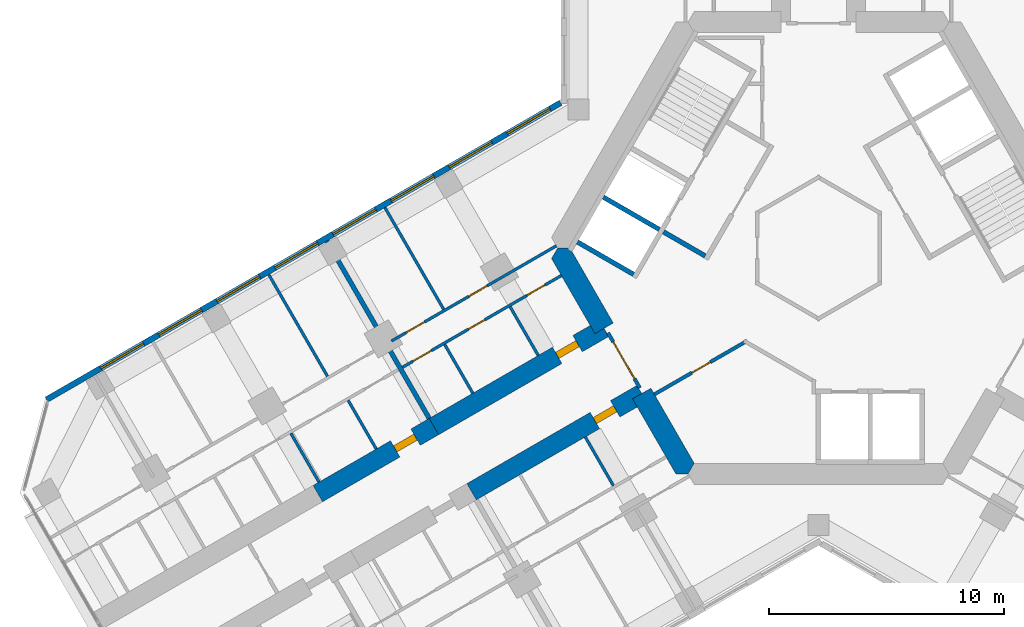
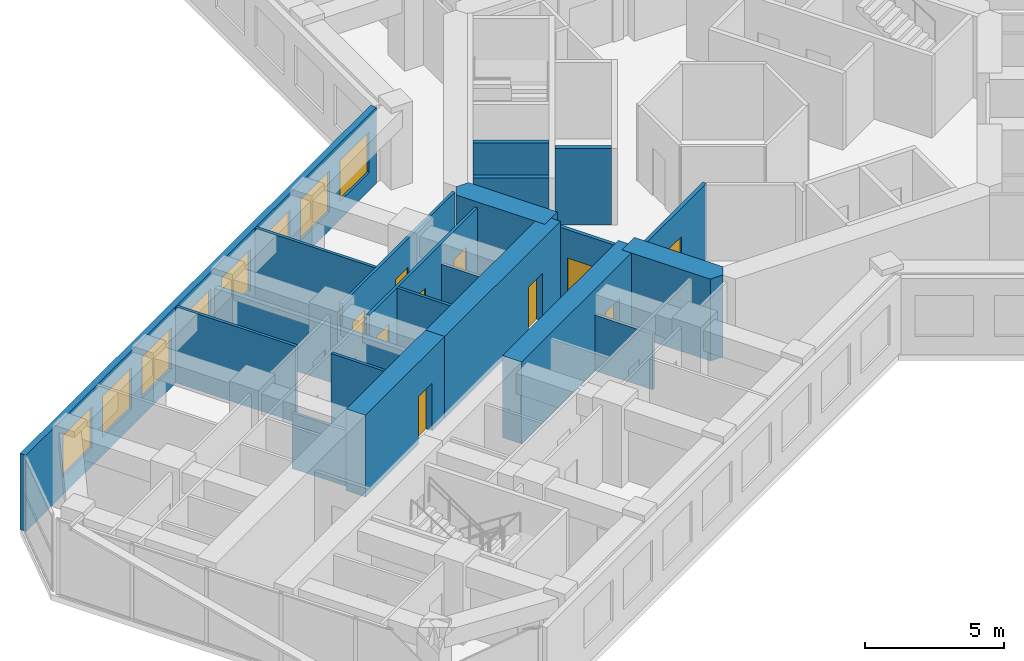
# One storey, part 12 of 19: 21 walls, 10 doors, 8 windows, 18 openings.
"""IFC4 building model written with IfcOpenShell, lengths in metres."""

from ifc_helpers import new_model, si_unit, direction, frame, frame_2d, origin, place, context, subcontext, project, spatial, polyline, rectangle, outline, extrude, material, layer, layer_set, type_object, element, fill, save


model = new_model("IFC4")

# Units and contexts
model_context = context("Model", 3, precision=1e-05, world=origin(), true_north=direction((0.0, 1.0)))
body_context = subcontext(model_context, "Body", "Model", "MODEL_VIEW")
ifc_project = project(units=[si_unit("LENGTHUNIT", "METRE"), si_unit("AREAUNIT", "SQUARE_METRE"), si_unit("VOLUMEUNIT", "CUBIC_METRE"), si_unit("PLANEANGLEUNIT", "RADIAN"), si_unit("MASSUNIT", "GRAM", prefix="KILO")], contexts=[model_context])

# Site, building, storey
site_placement = place(None, origin())
site = spatial("IfcSite", under=ifc_project, at=site_placement, CompositionType="ELEMENT")
building_placement = place(site_placement, origin())
building = spatial("IfcBuilding", under=site, at=building_placement, Name="Kosmar Iwan School Tower", CompositionType="ELEMENT")
storey_placement = place(building_placement, frame((0.0, 0.0, 165.199951171875)))
storey = spatial("IfcBuildingStorey", under=building, at=storey_placement, Name="L41", CompositionType="ELEMENT", Elevation=165.199951171875)

# Wall, opening, door
ifc_material_1 = material(Name="Gypsum board on steel studs, fire-rated", Category="steel")
ifc_layer_1 = layer(ifc_material_1, 0.14990234375)
ifc_layer_set_1 = layer_set([ifc_layer_1], Name="Core room partition 150")
wall_type_1 = type_object("IfcWallType", Name="Core room partition 150", PredefinedType="PARTITIONING", material=ifc_layer_set_1)
wall_1_placement = place(storey_placement, frame((-6.978515625, -6.222900390625, 0.0), z_axis=(0.0, 0.0, 1.0), x_axis=(0.866033797781, 0.49998546089, 0.0)))
wall_1 = element("IfcWall", 1, at=wall_1_placement, inside=storey, type_object=wall_type_1, Name="Core room partition L41-CW5", PredefinedType="PARTITIONING", context=body_context, shape_type="SweptSolid", body=[
    extrude(rectangle(XDim=4.553466796875, YDim=0.14990234375, at=frame_2d((2.27685546875, 0.0))), origin(), (0.0, 0.0, 1.0), 3.35009765625),
])
opening_1_placement = place(wall_1_placement, frame((1.846923828125, 0.0, 0.0)))
opening_1 = element("IfcOpeningElement", 2, at=opening_1_placement, cuts=wall_1, Name="Opening D14", PredefinedType="OPENING", context=body_context, shape_type="SweptSolid", body=[
    extrude(rectangle(XDim=0.89990234375, YDim=2.10009765625, at=frame_2d((0.449951171875, 1.050048828125))), frame((0.0, 0.0869140625, 0.0), z_axis=(0.0, -1.0, 0.0), x_axis=(1.0, 0.0, 0.0)), (0.0, 0.0, 1.0), 0.173828125),
])
ifc_material_2 = material(Name="Timber fire door in steel frame", Category="steel")
door_type_1 = type_object("IfcDoorType", Name="Core room door 900x2100", OperationType="SINGLE_SWING_LEFT", PredefinedType="DOOR", material=ifc_material_2)
door_1_placement = place(opening_1_placement, origin())
door_1 = element("IfcDoor", 3, at=door_1_placement, inside=storey, type_object=door_type_1, Name="Parcel room door L41 3", OperationType="SINGLE_SWING_LEFT", OverallHeight=2.10009765625, OverallWidth=0.89990234375, PredefinedType="DOOR", context=body_context, shape_type="SweptSolid", body=[
    extrude(rectangle(XDim=0.89990234375, YDim=2.10009765625, at=frame_2d((0.449951171875, 1.050048828125))), frame((0.0, 0.02490234375, 0.0), z_axis=(0.0, -1.0, 0.0), x_axis=(1.0, 0.0, 0.0)), (0.0, 0.0, 1.0), 0.050048828125),
])
fill(opening_1, door_1)

# Walls
ifc_material_3 = material(Name="Concrete C50/60", Category="concrete")
ifc_layer_2 = layer(ifc_material_3, 0.89990234375)
ifc_layer_set_2 = layer_set([ifc_layer_2], Name="Core wall 900")
wall_type_2 = type_object("IfcWallType", Name="Core wall 900", PredefinedType="SHEAR", material=ifc_layer_set_2)
wall_2_placement = place(storey_placement, origin())
element("IfcWall", 4, at=wall_2_placement, inside=storey, type_object=wall_type_2, Name="Core wall F210a", PredefinedType="SHEAR", context=body_context, shape_type="SweptSolid", body=[
    extrude(outline(polyline([(-9.503662109375, -3.639404296875), (-8.72412109375, -3.189453125), (-10.5654296875, 0.0), (-11.085205078125, 0.0), (-11.344970703125, -0.449951171875), (-9.503662109375, -3.639404296875)])), origin(), (0.0, 0.0, 1.0), 3.60009765625),
])
wall_3_placement = place(storey_placement, origin())
element("IfcWall", 5, at=wall_3_placement, inside=storey, type_object=wall_type_2, Name="Core wall F210b", PredefinedType="SHEAR", context=body_context, shape_type="SweptSolid", body=[
    extrude(outline(polyline([(-6.062255859375, -9.60009765625), (-5.54248046875, -9.60009765625), (-5.28271484375, -9.14990234375), (-7.1240234375, -5.960693359375), (-7.903564453125, -6.41064453125), (-6.062255859375, -9.60009765625)])), origin(), (0.0, 0.0, 1.0), 3.60009765625),
])

# Wall, opening, door
ifc_material_4 = material(Name="Concrete C50/60", Category="concrete")
ifc_layer_3 = layer(ifc_material_4, 0.800048828125)
ifc_layer_set_3 = layer_set([ifc_layer_3], Name="Corridor buttress wall 800")
wall_type_3 = type_object("IfcWallType", Name="Corridor buttress wall 800", PredefinedType="SHEAR", material=ifc_layer_set_3)
wall_4_placement = place(storey_placement, frame((-7.513916015625, -6.185546875, 0.0), z_axis=(0.0, 0.0, 1.0), x_axis=(-0.866019549707, -0.500010139422, 0.0)))
wall_4 = element("IfcWall", 6, at=wall_4_placement, inside=storey, type_object=wall_type_3, Name="Corridor wall BL", PredefinedType="SHEAR", context=body_context, shape_type="SweptSolid", body=[
    extrude(rectangle(XDim=8.349853515625, YDim=0.800048828125, at=frame_2d((4.1748046875, 0.0))), origin(), (0.0, 0.0, 1.0), 3.60009765625),
])
opening_2_placement = place(wall_4_placement, frame((1.300048828125, 0.0, 0.0)))
opening_2 = element("IfcOpeningElement", 7, at=opening_2_placement, cuts=wall_4, Name="Opening D1", PredefinedType="OPENING", context=body_context, shape_type="SweptSolid", body=[
    extrude(rectangle(XDim=1.0, YDim=2.10009765625, at=frame_2d((0.5, 1.050048828125))), frame((0.0, 0.412109375, 0.0), z_axis=(0.0, -1.0, 0.0), x_axis=(1.0, 0.0, 0.0)), (0.0, 0.0, 1.0), 0.823974609375),
])
ifc_material_5 = material(Name="Timber fire door in steel frame", Category="steel")
door_type_2 = type_object("IfcDoorType", Name="Flat entrance door 1000x2100", OperationType="SINGLE_SWING_LEFT", PredefinedType="DOOR", material=ifc_material_5)
door_2_placement = place(opening_2_placement, origin())
door_2 = element("IfcDoor", 8, at=door_2_placement, inside=storey, type_object=door_type_2, Name="Flat L41-BL1 entrance door", OperationType="SINGLE_SWING_RIGHT", OverallHeight=2.10009765625, OverallWidth=1.0, PredefinedType="DOOR", context=body_context, shape_type="SweptSolid", body=[
    extrude(rectangle(XDim=1.0, YDim=2.10009765625, at=frame_2d((0.5, 1.050048828125))), frame((0.0, 0.14990234375, 0.0), z_axis=(0.0, -1.0, 0.0), x_axis=(1.0, 0.0, 0.0)), (0.0, 0.0, 1.0), 0.300048828125),
])
fill(opening_2, door_2)

wall_5_placement = place(storey_placement, frame((-9.11376953125, -3.414306640625, 0.0), z_axis=(0.0, 0.0, 1.0), x_axis=(-0.866026859388, -0.499997478812, 0.0)))
wall_5 = element("IfcWall", 9, at=wall_5_placement, inside=storey, type_object=wall_type_3, Name="Corridor wall BR", PredefinedType="SHEAR", context=body_context, shape_type="SweptSolid", body=[
    extrude(rectangle(XDim=8.35009765625, YDim=0.800048828125, at=frame_2d((4.175048828125, 0.0))), origin(), (0.0, 0.0, 1.0), 3.60009765625),
])
opening_3_placement = place(wall_5_placement, frame((1.300048828125, 0.0, 0.0)))
opening_3 = element("IfcOpeningElement", 10, at=opening_3_placement, cuts=wall_5, Name="Opening D1", PredefinedType="OPENING", context=body_context, shape_type="SweptSolid", body=[
    extrude(rectangle(XDim=1.0, YDim=2.10009765625, at=frame_2d((0.5, 1.050048828125))), frame((0.0, 0.412109375, 0.0), z_axis=(0.0, -1.0, 0.0), x_axis=(1.0, 0.0, 0.0)), (0.0, 0.0, 1.0), 0.823974609375),
])
door_3_placement = place(opening_3_placement, origin())
door_3 = element("IfcDoor", 11, at=door_3_placement, inside=storey, type_object=door_type_2, Name="Flat L41-BR1 entrance door", OperationType="SINGLE_SWING_LEFT", OverallHeight=2.10009765625, OverallWidth=1.0, PredefinedType="DOOR", context=body_context, shape_type="SweptSolid", body=[
    extrude(rectangle(XDim=1.0, YDim=2.10009765625, at=frame_2d((0.5, 1.050048828125))), frame((0.0, 0.14990234375, 0.0), z_axis=(0.0, -1.0, 0.0), x_axis=(1.0, 0.0, 0.0)), (0.0, 0.0, 1.0), 0.300048828125),
])
fill(opening_3, door_3)

wall_6_placement = place(storey_placement, frame((-16.34521484375, -7.58935546875, 0.0), z_axis=(0.0, 0.0, 1.0), x_axis=(-0.866015111908, -0.50001782563, 0.0)))
wall_6 = element("IfcWall", 12, at=wall_6_placement, inside=storey, type_object=wall_type_3, Name="Corridor wall BR bay 2", PredefinedType="SHEAR", context=body_context, shape_type="SweptSolid", body=[
    extrude(rectangle(XDim=5.699951171875, YDim=0.800048828125, at=frame_2d((2.85009765625, 0.0))), origin(), (0.0, 0.0, 1.0), 3.60009765625),
])
opening_4_placement = place(wall_6_placement, frame((0.89990234375, 0.0, 0.0)))
opening_4 = element("IfcOpeningElement", 13, at=opening_4_placement, cuts=wall_6, Name="Opening D1", PredefinedType="OPENING", context=body_context, shape_type="SweptSolid", body=[
    extrude(rectangle(XDim=1.0, YDim=2.10009765625, at=frame_2d((0.5, 1.050048828125))), frame((0.0, 0.412109375, 0.0), z_axis=(0.0, -1.0, 0.0), x_axis=(1.0, 0.0, 0.0)), (0.0, 0.0, 1.0), 0.823974609375),
])
door_4_placement = place(opening_4_placement, origin())
door_4 = element("IfcDoor", 14, at=door_4_placement, inside=storey, type_object=door_type_2, Name="Flat L41-BR2 entrance door", OperationType="SINGLE_SWING_LEFT", OverallHeight=2.10009765625, OverallWidth=1.0, PredefinedType="DOOR", context=body_context, shape_type="SweptSolid", body=[
    extrude(rectangle(XDim=1.0, YDim=2.10009765625, at=frame_2d((0.5, 1.050048828125))), frame((0.0, 0.14990234375, 0.0), z_axis=(0.0, -1.0, 0.0), x_axis=(1.0, 0.0, 0.0)), (0.0, 0.0, 1.0), 0.300048828125),
])
fill(opening_4, door_4)

ifc_material_6 = material(Name="Steel framed glazed screen", Category="steel")
ifc_layer_4 = layer(ifc_material_6, 0.14990234375)
ifc_layer_set_4 = layer_set([ifc_layer_4], Name="Corridor screen wall 150")
wall_type_4 = type_object("IfcWallType", Name="Corridor screen wall 150", PredefinedType="PARTITIONING", material=ifc_layer_set_4)
wall_7_placement = place(storey_placement, frame((-8.945556640625, -3.60595703125, 0.0), z_axis=(0.0, 0.0, 1.0), x_axis=(0.500048589285, -0.86599734893, 0.0)))
wall_7 = element("IfcWall", 15, at=wall_7_placement, inside=storey, type_object=wall_type_4, Name="Corridor screen B L41", PredefinedType="PARTITIONING", context=body_context, shape_type="SweptSolid", body=[
    extrude(rectangle(XDim=2.699951171875, YDim=0.14990234375, at=frame_2d((1.35009765625, 0.0))), origin(), (0.0, 0.0, 1.0), 3.35009765625),
])
opening_5_placement = place(wall_7_placement, frame((0.449951171875, 0.0, 0.0)))
opening_5 = element("IfcOpeningElement", 16, at=opening_5_placement, cuts=wall_7, Name="Opening D9", PredefinedType="OPENING", context=body_context, shape_type="SweptSolid", body=[
    extrude(rectangle(XDim=1.800048828125, YDim=2.10009765625, at=frame_2d((0.89990234375, 1.050048828125))), frame((0.0, 0.0869140625, 0.0), z_axis=(0.0, -1.0, 0.0), x_axis=(1.0, 0.0, 0.0)), (0.0, 0.0, 1.0), 0.173828125),
])
ifc_material_7 = material(Name="Steel framed glazed smoke door", Category="steel")
door_type_3 = type_object("IfcDoorType", Name="Corridor smoke door pair 1800x2100", OperationType="DOUBLE_DOOR_DOUBLE_SWING", PredefinedType="DOOR", material=ifc_material_7)
door_5_placement = place(opening_5_placement, origin())
door_5 = element("IfcDoor", 17, at=door_5_placement, inside=storey, type_object=door_type_3, Name="Corridor doors B L41", OperationType="DOUBLE_DOOR_DOUBLE_SWING", OverallHeight=2.10009765625, OverallWidth=1.800048828125, PredefinedType="DOOR", context=body_context, shape_type="SweptSolid", body=[
    extrude(rectangle(XDim=1.800048828125, YDim=2.10009765625, at=frame_2d((0.89990234375, 1.050048828125))), frame((0.0, 0.02490234375, 0.0), z_axis=(0.0, -1.0, 0.0), x_axis=(1.0, 0.0, 0.0)), (0.0, 0.0, 1.0), 0.050048828125),
])
fill(opening_5, door_5)

# Wall
ifc_material_8 = material(Name="Gypsum board on steel studs", Category="steel")
ifc_layer_5 = layer(ifc_material_8, 0.1201171875)
ifc_layer_set_5 = layer_set([ifc_layer_5], Name="Dwelling partition 120")
wall_type_5 = type_object("IfcWallType", Name="Dwelling partition 120", PredefinedType="PARTITIONING", material=ifc_layer_set_5)
wall_8_placement = place(storey_placement, frame((-9.911865234375, -8.031982421875, 0.0), z_axis=(0.0, 0.0, 1.0), x_axis=(0.500017192868, -0.86601547725, 0.0)))
element("IfcWall", 18, at=wall_8_placement, inside=storey, type_object=wall_type_5, Name="Partition L41-BL1-Y1", PredefinedType="PARTITIONING", context=body_context, shape_type="SweptSolid", body=[
    extrude(rectangle(XDim=2.39013671875, YDim=0.1201171875, at=frame_2d((1.195068359375, 0.0))), origin(), (0.0, 0.0, 1.0), 2.449951171875),
])

# Wall, openings, doors
wall_9_placement = place(storey_placement, frame((-10.928466796875, -1.171142578125, 0.0), z_axis=(0.0, 0.0, 1.0), x_axis=(-0.866021400173, -0.500006934395, 0.0)))
wall_9 = element("IfcWall", 19, at=wall_9_placement, inside=storey, type_object=wall_type_5, Name="Partition L41-BR1-W1", PredefinedType="PARTITIONING", context=body_context, shape_type="SweptSolid", body=[
    extrude(rectangle(XDim=7.80029296875, YDim=0.1201171875, at=frame_2d((3.900146484375, 0.0))), origin(), (0.0, 0.0, 1.0), 3.35009765625),
])
opening_6_placement = place(wall_9_placement, frame((0.800048828125, 0.0, 0.0)))
opening_6 = element("IfcOpeningElement", 20, at=opening_6_placement, cuts=wall_9, Name="Opening D2", PredefinedType="OPENING", context=body_context, shape_type="SweptSolid", body=[
    extrude(rectangle(XDim=0.89990234375, YDim=2.10009765625, at=frame_2d((0.449951171875, 1.050048828125))), frame((0.0, 0.072021484375, 0.0), z_axis=(0.0, -1.0, 0.0), x_axis=(1.0, 0.0, 0.0)), (0.0, 0.0, 1.0), 0.14404296875),
])
opening_7_placement = place(wall_9_placement, frame((3.755126953125, 0.0, 0.0)))
opening_7 = element("IfcOpeningElement", 21, at=opening_7_placement, cuts=wall_9, Name="Opening D3", PredefinedType="OPENING", context=body_context, shape_type="SweptSolid", body=[
    extrude(rectangle(XDim=0.800048828125, YDim=2.10009765625, at=frame_2d((0.39990234375, 1.050048828125))), frame((0.0, 0.072021484375, 0.0), z_axis=(0.0, -1.0, 0.0), x_axis=(1.0, 0.0, 0.0)), (0.0, 0.0, 1.0), 0.14404296875),
])
opening_8_placement = place(wall_9_placement, frame((6.380126953125, 0.0, 0.0)))
opening_8 = element("IfcOpeningElement", 22, at=opening_8_placement, cuts=wall_9, Name="Opening D2", PredefinedType="OPENING", context=body_context, shape_type="SweptSolid", body=[
    extrude(rectangle(XDim=0.89990234375, YDim=2.10009765625, at=frame_2d((0.449951171875, 1.050048828125))), frame((0.0, 0.072021484375, 0.0), z_axis=(0.0, -1.0, 0.0), x_axis=(1.0, 0.0, 0.0)), (0.0, 0.0, 1.0), 0.14404296875),
])
ifc_material_9 = material(Name="Timber door in timber frame", Category="wood")
door_type_4 = type_object("IfcDoorType", Name="Internal door 900x2100", OperationType="SINGLE_SWING_LEFT", PredefinedType="DOOR", material=ifc_material_9)
door_6_placement = place(opening_6_placement, origin())
door_6 = element("IfcDoor", 23, at=door_6_placement, inside=storey, type_object=door_type_4, Name="Entrance hall door L41-BR1-S1", OperationType="SINGLE_SWING_RIGHT", OverallHeight=2.10009765625, OverallWidth=0.89990234375, PredefinedType="DOOR", context=body_context, shape_type="SweptSolid", body=[
    extrude(rectangle(XDim=0.89990234375, YDim=2.10009765625, at=frame_2d((0.449951171875, 1.050048828125))), frame((0.0, 0.02490234375, 0.0), z_axis=(0.0, -1.0, 0.0), x_axis=(1.0, 0.0, 0.0)), (0.0, 0.0, 1.0), 0.050048828125),
])
fill(opening_6, door_6)
door_7_placement = place(opening_8_placement, origin())
door_7 = element("IfcDoor", 24, at=door_7_placement, inside=storey, type_object=door_type_4, Name="Pantry door L41-BR1-S3", OperationType="SINGLE_SWING_RIGHT", OverallHeight=2.10009765625, OverallWidth=0.89990234375, PredefinedType="DOOR", context=body_context, shape_type="SweptSolid", body=[
    extrude(rectangle(XDim=0.89990234375, YDim=2.10009765625, at=frame_2d((0.449951171875, 1.050048828125))), frame((0.0, 0.02490234375, 0.0), z_axis=(0.0, -1.0, 0.0), x_axis=(1.0, 0.0, 0.0)), (0.0, 0.0, 1.0), 0.050048828125),
])
fill(opening_8, door_7)
ifc_material_10 = material(Name="Timber door in timber frame", Category="wood")
door_type_5 = type_object("IfcDoorType", Name="Sanitary room door 800x2100", OperationType="SINGLE_SWING_LEFT", PredefinedType="DOOR", material=ifc_material_10)
door_8_placement = place(opening_7_placement, origin())
door_8 = element("IfcDoor", 25, at=door_8_placement, inside=storey, type_object=door_type_5, Name="Bathroom door L41-BR1-S2", OperationType="SINGLE_SWING_LEFT", OverallHeight=2.10009765625, OverallWidth=0.800048828125, PredefinedType="DOOR", context=body_context, shape_type="SweptSolid", body=[
    extrude(rectangle(XDim=0.800048828125, YDim=2.10009765625, at=frame_2d((0.39990234375, 1.050048828125))), frame((0.0, 0.02490234375, 0.0), z_axis=(0.0, -1.0, 0.0), x_axis=(1.0, 0.0, 0.0)), (0.0, 0.0, 1.0), 0.050048828125),
])
fill(opening_7, door_8)

wall_10_placement = place(storey_placement, frame((-11.138916015625, 0.093017578125, 0.0), z_axis=(0.0, 0.0, 1.0), x_axis=(-0.866017937352, -0.500012932018, 0.0)))
wall_10 = element("IfcWall", 26, at=wall_10_placement, inside=storey, type_object=wall_type_5, Name="Partition L41-BR1-W2", PredefinedType="PARTITIONING", context=body_context, shape_type="SweptSolid", body=[
    extrude(rectangle(XDim=8.099853515625, YDim=0.1201171875, at=frame_2d((4.0498046875, 0.0))), origin(), (0.0, 0.0, 1.0), 3.35009765625),
])
opening_9_placement = place(wall_10_placement, frame((3.39990234375, 0.0, 0.0)))
opening_9 = element("IfcOpeningElement", 27, at=opening_9_placement, cuts=wall_10, Name="Opening D2", PredefinedType="OPENING", context=body_context, shape_type="SweptSolid", body=[
    extrude(rectangle(XDim=0.89990234375, YDim=2.10009765625, at=frame_2d((0.449951171875, 1.050048828125))), frame((0.0, 0.072021484375, 0.0), z_axis=(0.0, -1.0, 0.0), x_axis=(1.0, 0.0, 0.0)), (0.0, 0.0, 1.0), 0.14404296875),
])
opening_10_placement = place(wall_10_placement, frame((6.47509765625, 0.0, 0.0)))
opening_10 = element("IfcOpeningElement", 28, at=opening_10_placement, cuts=wall_10, Name="Opening D2", PredefinedType="OPENING", context=body_context, shape_type="SweptSolid", body=[
    extrude(rectangle(XDim=0.89990234375, YDim=2.10009765625, at=frame_2d((0.449951171875, 1.050048828125))), frame((0.0, 0.072021484375, 0.0), z_axis=(0.0, -1.0, 0.0), x_axis=(1.0, 0.0, 0.0)), (0.0, 0.0, 1.0), 0.14404296875),
])
door_9_placement = place(opening_9_placement, origin())
door_9 = element("IfcDoor", 29, at=door_9_placement, inside=storey, type_object=door_type_4, Name="Living room and kitchen door L41-BR1-F1", OperationType="SINGLE_SWING_LEFT", OverallHeight=2.10009765625, OverallWidth=0.89990234375, PredefinedType="DOOR", context=body_context, shape_type="SweptSolid", body=[
    extrude(rectangle(XDim=0.89990234375, YDim=2.10009765625, at=frame_2d((0.449951171875, 1.050048828125))), frame((0.0, 0.02490234375, 0.0), z_axis=(0.0, -1.0, 0.0), x_axis=(1.0, 0.0, 0.0)), (0.0, 0.0, 1.0), 0.050048828125),
])
fill(opening_9, door_9)
door_10_placement = place(opening_10_placement, origin())
door_10 = element("IfcDoor", 30, at=door_10_placement, inside=storey, type_object=door_type_4, Name="Bedroom 1 door L41-BR1-F2", OperationType="SINGLE_SWING_RIGHT", OverallHeight=2.10009765625, OverallWidth=0.89990234375, PredefinedType="DOOR", context=body_context, shape_type="SweptSolid", body=[
    extrude(rectangle(XDim=0.89990234375, YDim=2.10009765625, at=frame_2d((0.449951171875, 1.050048828125))), frame((0.0, 0.02490234375, 0.0), z_axis=(0.0, -1.0, 0.0), x_axis=(1.0, 0.0, 0.0)), (0.0, 0.0, 1.0), 0.050048828125),
])
fill(opening_10, door_10)

# Walls
wall_11_placement = place(storey_placement, frame((-15.931884765625, -2.60498046875, 0.0), z_axis=(0.0, 0.0, 1.0), x_axis=(-0.500011847778, 0.866018563358, 0.0)))
element("IfcWall", 31, at=wall_11_placement, inside=storey, type_object=wall_type_5, Name="Partition L41-BR1-X1", PredefinedType="PARTITIONING", context=body_context, shape_type="SweptSolid", body=[
    extrude(rectangle(XDim=4.990234375, YDim=0.1201171875, at=frame_2d((2.4951171875, 0.0))), origin(), (0.0, 0.0, 1.0), 3.35009765625),
])
wall_12_placement = place(storey_placement, frame((-11.911865234375, -4.56787109375, 0.0), z_axis=(0.0, 0.0, 1.0), x_axis=(-0.500017192868, 0.86601547725, 0.0)))
element("IfcWall", 32, at=wall_12_placement, inside=storey, type_object=wall_type_5, Name="Partition L41-BR1-Y1", PredefinedType="PARTITIONING", context=body_context, shape_type="SweptSolid", body=[
    extrude(rectangle(XDim=2.39013671875, YDim=0.1201171875, at=frame_2d((1.195068359375, 0.0))), origin(), (0.0, 0.0, 1.0), 2.449951171875),
])
wall_13_placement = place(storey_placement, frame((-14.69189453125, -6.1728515625, 0.0), z_axis=(0.0, 0.0, 1.0), x_axis=(-0.500017192868, 0.86601547725, 0.0)))
element("IfcWall", 33, at=wall_13_placement, inside=storey, type_object=wall_type_5, Name="Partition L41-BR1-Y2", PredefinedType="PARTITIONING", context=body_context, shape_type="SweptSolid", body=[
    extrude(rectangle(XDim=2.39013671875, YDim=0.1201171875, at=frame_2d((1.195068359375, 0.0))), origin(), (0.0, 0.0, 1.0), 3.35009765625),
])
wall_14_placement = place(storey_placement, frame((-20.868408203125, -5.455078125, 0.0), z_axis=(0.0, 0.0, 1.0), x_axis=(-0.499975153383, 0.86603974851, 0.0)))
element("IfcWall", 34, at=wall_14_placement, inside=storey, type_object=wall_type_5, Name="Partition L41-BR2-X1", PredefinedType="PARTITIONING", context=body_context, shape_type="SweptSolid", body=[
    extrude(rectangle(XDim=4.989990234375, YDim=0.1201171875, at=frame_2d((2.4951171875, 0.0))), origin(), (0.0, 0.0, 1.0), 3.35009765625),
])
wall_15_placement = place(storey_placement, frame((-18.796875, -8.54296875, 0.0), z_axis=(0.0, 0.0, 1.0), x_axis=(-0.500017192868, 0.86601547725, 0.0)))
element("IfcWall", 35, at=wall_15_placement, inside=storey, type_object=wall_type_5, Name="Partition L41-BR2-Y1", PredefinedType="PARTITIONING", context=body_context, shape_type="SweptSolid", body=[
    extrude(rectangle(XDim=2.39013671875, YDim=0.1201171875, at=frame_2d((1.195068359375, 0.0))), origin(), (0.0, 0.0, 1.0), 3.35009765625),
])
wall_16_placement = place(storey_placement, frame((-21.23046875, -9.947998046875, 0.0), z_axis=(0.0, 0.0, 1.0), x_axis=(-0.499940577336, 0.866059708757, 0.0)))
element("IfcWall", 36, at=wall_16_placement, inside=storey, type_object=wall_type_5, Name="Partition L41-BR2-Y2", PredefinedType="PARTITIONING", context=body_context, shape_type="SweptSolid", body=[
    extrude(rectangle(XDim=2.389892578125, YDim=0.1201171875, at=frame_2d((1.19482421875, 0.0))), origin(), (0.0, 0.0, 1.0), 2.449951171875),
])

# Wall, openings, windows
ifc_material_11 = material(Name="Black aluminium rainscreen on insulated framing", Category="aluminium")
ifc_layer_6 = layer(ifc_material_11, 0.25)
ifc_layer_set_6 = layer_set([ifc_layer_6], Name="External wall rainscreen 250")
wall_type_6 = type_object("IfcWallType", Name="External wall rainscreen 250", PredefinedType="SOLIDWALL", material=ifc_layer_set_6)
wall_17_placement = place(storey_placement, frame((-10.962890625, 6.170166015625, 0.0), z_axis=(0.0, 0.0, 1.0), x_axis=(-0.86602796634, -0.499995561497, 0.0)))
wall_17 = element("IfcWall", 37, at=wall_17_placement, inside=storey, type_object=wall_type_6, Name="External wall BR L41", PredefinedType="SOLIDWALL", context=body_context, shape_type="SweptSolid", body=[
    extrude(rectangle(XDim=25.226318359375, YDim=0.25, at=frame_2d((12.61328125, 0.0))), origin(), (0.0, 0.0, 1.0), 3.35009765625),
])
opening_11_placement = place(wall_17_placement, frame((0.51611328125, 0.0, 0.800048828125)))
opening_11 = element("IfcOpeningElement", 38, at=opening_11_placement, cuts=wall_17, Name="Opening W4", PredefinedType="OPENING", context=body_context, shape_type="SweptSolid", body=[
    extrude(rectangle(XDim=2.10009765625, YDim=1.800048828125, at=frame_2d((1.050048828125, 0.89990234375))), frame((0.0, 0.136962890625, 0.0), z_axis=(0.0, -1.0, 0.0), x_axis=(1.0, 0.0, 0.0)), (0.0, 0.0, 1.0), 0.27392578125),
])
opening_12_placement = place(wall_17_placement, frame((3.365966796875, 0.0, 0.800048828125)))
opening_12 = element("IfcOpeningElement", 39, at=opening_12_placement, cuts=wall_17, Name="Opening W4", PredefinedType="OPENING", context=body_context, shape_type="SweptSolid", body=[
    extrude(rectangle(XDim=2.10009765625, YDim=1.800048828125, at=frame_2d((1.050048828125, 0.89990234375))), frame((0.0, 0.136962890625, 0.0), z_axis=(0.0, -1.0, 0.0), x_axis=(1.0, 0.0, 0.0)), (0.0, 0.0, 1.0), 0.27392578125),
])
opening_13_placement = place(wall_17_placement, frame((6.216064453125, 0.0, 0.800048828125)))
opening_13 = element("IfcOpeningElement", 40, at=opening_13_placement, cuts=wall_17, Name="Opening W4", PredefinedType="OPENING", context=body_context, shape_type="SweptSolid", body=[
    extrude(rectangle(XDim=2.10009765625, YDim=1.800048828125, at=frame_2d((1.050048828125, 0.89990234375))), frame((0.0, 0.136962890625, 0.0), z_axis=(0.0, -1.0, 0.0), x_axis=(1.0, 0.0, 0.0)), (0.0, 0.0, 1.0), 0.27392578125),
])
opening_14_placement = place(wall_17_placement, frame((9.06591796875, 0.0, 0.800048828125)))
opening_14 = element("IfcOpeningElement", 41, at=opening_14_placement, cuts=wall_17, Name="Opening W4", PredefinedType="OPENING", context=body_context, shape_type="SweptSolid", body=[
    extrude(rectangle(XDim=2.10009765625, YDim=1.800048828125, at=frame_2d((1.050048828125, 0.89990234375))), frame((0.0, 0.136962890625, 0.0), z_axis=(0.0, -1.0, 0.0), x_axis=(1.0, 0.0, 0.0)), (0.0, 0.0, 1.0), 0.27392578125),
])
opening_15_placement = place(wall_17_placement, frame((11.916015625, 0.0, 0.800048828125)))
opening_15 = element("IfcOpeningElement", 42, at=opening_15_placement, cuts=wall_17, Name="Opening W4", PredefinedType="OPENING", context=body_context, shape_type="SweptSolid", body=[
    extrude(rectangle(XDim=2.10009765625, YDim=1.800048828125, at=frame_2d((1.050048828125, 0.89990234375))), frame((0.0, 0.136962890625, 0.0), z_axis=(0.0, -1.0, 0.0), x_axis=(1.0, 0.0, 0.0)), (0.0, 0.0, 1.0), 0.27392578125),
])
opening_16_placement = place(wall_17_placement, frame((14.76611328125, 0.0, 0.800048828125)))
opening_16 = element("IfcOpeningElement", 43, at=opening_16_placement, cuts=wall_17, Name="Opening W4", PredefinedType="OPENING", context=body_context, shape_type="SweptSolid", body=[
    extrude(rectangle(XDim=2.10009765625, YDim=1.800048828125, at=frame_2d((1.050048828125, 0.89990234375))), frame((0.0, 0.136962890625, 0.0), z_axis=(0.0, -1.0, 0.0), x_axis=(1.0, 0.0, 0.0)), (0.0, 0.0, 1.0), 0.27392578125),
])
opening_17_placement = place(wall_17_placement, frame((17.615966796875, 0.0, 0.800048828125)))
opening_17 = element("IfcOpeningElement", 44, at=opening_17_placement, cuts=wall_17, Name="Opening W4", PredefinedType="OPENING", context=body_context, shape_type="SweptSolid", body=[
    extrude(rectangle(XDim=2.10009765625, YDim=1.800048828125, at=frame_2d((1.050048828125, 0.89990234375))), frame((0.0, 0.136962890625, 0.0), z_axis=(0.0, -1.0, 0.0), x_axis=(1.0, 0.0, 0.0)), (0.0, 0.0, 1.0), 0.27392578125),
])
opening_18_placement = place(wall_17_placement, frame((20.466064453125, 0.0, 0.800048828125)))
opening_18 = element("IfcOpeningElement", 45, at=opening_18_placement, cuts=wall_17, Name="Opening W4", PredefinedType="OPENING", context=body_context, shape_type="SweptSolid", body=[
    extrude(rectangle(XDim=2.10009765625, YDim=1.800048828125, at=frame_2d((1.050048828125, 0.89990234375))), frame((0.0, 0.136962890625, 0.0), z_axis=(0.0, -1.0, 0.0), x_axis=(1.0, 0.0, 0.0)), (0.0, 0.0, 1.0), 0.27392578125),
])
ifc_material_12 = material(Name="Black aluminium frame with dark triple glazing", Category="aluminium")
window_type = type_object("IfcWindowType", Name="Window 2100x1800", PartitioningType="SINGLE_PANEL", PredefinedType="WINDOW", material=ifc_material_12)
window_1_placement = place(opening_11_placement, origin())
window_1 = element("IfcWindow", 46, at=window_1_placement, inside=storey, type_object=window_type, Name="Window BR L41 -1", OverallHeight=1.800048828125, OverallWidth=2.10009765625, PartitioningType="SINGLE_PANEL", PredefinedType="WINDOW", context=body_context, shape_type="SweptSolid", body=[
    extrude(rectangle(XDim=2.10009765625, YDim=1.800048828125, at=frame_2d((1.050048828125, 0.89990234375))), frame((0.0, 0.030029296875, 0.0), z_axis=(0.0, -1.0, 0.0), x_axis=(1.0, 0.0, 0.0)), (0.0, 0.0, 1.0), 0.06005859375),
])
fill(opening_11, window_1)
window_2_placement = place(opening_12_placement, origin())
window_2 = element("IfcWindow", 47, at=window_2_placement, inside=storey, type_object=window_type, Name="Window BR L41 0", OverallHeight=1.800048828125, OverallWidth=2.10009765625, PartitioningType="SINGLE_PANEL", PredefinedType="WINDOW", context=body_context, shape_type="SweptSolid", body=[
    extrude(rectangle(XDim=2.10009765625, YDim=1.800048828125, at=frame_2d((1.050048828125, 0.89990234375))), frame((0.0, 0.030029296875, 0.0), z_axis=(0.0, -1.0, 0.0), x_axis=(1.0, 0.0, 0.0)), (0.0, 0.0, 1.0), 0.06005859375),
])
fill(opening_12, window_2)
window_3_placement = place(opening_13_placement, origin())
window_3 = element("IfcWindow", 48, at=window_3_placement, inside=storey, type_object=window_type, Name="Window BR L41 1", OverallHeight=1.800048828125, OverallWidth=2.10009765625, PartitioningType="SINGLE_PANEL", PredefinedType="WINDOW", context=body_context, shape_type="SweptSolid", body=[
    extrude(rectangle(XDim=2.10009765625, YDim=1.800048828125, at=frame_2d((1.050048828125, 0.89990234375))), frame((0.0, 0.030029296875, 0.0), z_axis=(0.0, -1.0, 0.0), x_axis=(1.0, 0.0, 0.0)), (0.0, 0.0, 1.0), 0.06005859375),
])
fill(opening_13, window_3)
window_4_placement = place(opening_14_placement, origin())
window_4 = element("IfcWindow", 49, at=window_4_placement, inside=storey, type_object=window_type, Name="Window BR L41 2", OverallHeight=1.800048828125, OverallWidth=2.10009765625, PartitioningType="SINGLE_PANEL", PredefinedType="WINDOW", context=body_context, shape_type="SweptSolid", body=[
    extrude(rectangle(XDim=2.10009765625, YDim=1.800048828125, at=frame_2d((1.050048828125, 0.89990234375))), frame((0.0, 0.030029296875, 0.0), z_axis=(0.0, -1.0, 0.0), x_axis=(1.0, 0.0, 0.0)), (0.0, 0.0, 1.0), 0.06005859375),
])
fill(opening_14, window_4)
window_5_placement = place(opening_15_placement, origin())
window_5 = element("IfcWindow", 50, at=window_5_placement, inside=storey, type_object=window_type, Name="Window BR L41 3", OverallHeight=1.800048828125, OverallWidth=2.10009765625, PartitioningType="SINGLE_PANEL", PredefinedType="WINDOW", context=body_context, shape_type="SweptSolid", body=[
    extrude(rectangle(XDim=2.10009765625, YDim=1.800048828125, at=frame_2d((1.050048828125, 0.89990234375))), frame((0.0, 0.030029296875, 0.0), z_axis=(0.0, -1.0, 0.0), x_axis=(1.0, 0.0, 0.0)), (0.0, 0.0, 1.0), 0.06005859375),
])
fill(opening_15, window_5)
window_6_placement = place(opening_16_placement, origin())
window_6 = element("IfcWindow", 51, at=window_6_placement, inside=storey, type_object=window_type, Name="Window BR L41 4", OverallHeight=1.800048828125, OverallWidth=2.10009765625, PartitioningType="SINGLE_PANEL", PredefinedType="WINDOW", context=body_context, shape_type="SweptSolid", body=[
    extrude(rectangle(XDim=2.10009765625, YDim=1.800048828125, at=frame_2d((1.050048828125, 0.89990234375))), frame((0.0, 0.030029296875, 0.0), z_axis=(0.0, -1.0, 0.0), x_axis=(1.0, 0.0, 0.0)), (0.0, 0.0, 1.0), 0.06005859375),
])
fill(opening_16, window_6)
window_7_placement = place(opening_17_placement, origin())
window_7 = element("IfcWindow", 52, at=window_7_placement, inside=storey, type_object=window_type, Name="Window BR L41 5", OverallHeight=1.800048828125, OverallWidth=2.10009765625, PartitioningType="SINGLE_PANEL", PredefinedType="WINDOW", context=body_context, shape_type="SweptSolid", body=[
    extrude(rectangle(XDim=2.10009765625, YDim=1.800048828125, at=frame_2d((1.050048828125, 0.89990234375))), frame((0.0, 0.030029296875, 0.0), z_axis=(0.0, -1.0, 0.0), x_axis=(1.0, 0.0, 0.0)), (0.0, 0.0, 1.0), 0.06005859375),
])
fill(opening_17, window_7)
window_8_placement = place(opening_18_placement, origin())
window_8 = element("IfcWindow", 53, at=window_8_placement, inside=storey, type_object=window_type, Name="Window BR L41 6", OverallHeight=1.800048828125, OverallWidth=2.10009765625, PartitioningType="SINGLE_PANEL", PredefinedType="WINDOW", context=body_context, shape_type="SweptSolid", body=[
    extrude(rectangle(XDim=2.10009765625, YDim=1.800048828125, at=frame_2d((1.050048828125, 0.89990234375))), frame((0.0, 0.030029296875, 0.0), z_axis=(0.0, -1.0, 0.0), x_axis=(1.0, 0.0, 0.0)), (0.0, 0.0, 1.0), 0.06005859375),
])
fill(opening_18, window_8)

# Walls
ifc_material_13 = material(Name="Concrete block masonry", Category="masonry")
ifc_layer_7 = layer(ifc_material_13, 0.199951171875)
ifc_layer_set_7 = layer_set([ifc_layer_7], Name="Fire lobby wall 200")
wall_type_7 = type_object("IfcWallType", Name="Fire lobby wall 200", PredefinedType="PARTITIONING", material=ifc_layer_set_7)
wall_18_placement = place(storey_placement, frame((-4.814208984375, -0.33837890625, 0.0), z_axis=(0.0, 0.0, 1.0), x_axis=(-0.865969381856, 0.500097020274, 0.0)))
element("IfcWall", 54, at=wall_18_placement, inside=storey, type_object=wall_type_7, Name="Firefighting lobby wall ST2", PredefinedType="PARTITIONING", context=body_context, shape_type="SweptSolid", body=[
    extrude(rectangle(XDim=2.0498046875, YDim=0.199951171875, at=frame_2d((1.02490234375, 0.0))), origin(), (0.0, 0.0, 1.0), 3.35009765625),
])
ifc_material_14 = material(Name="Concrete C50/60", Category="concrete")
ifc_layer_8 = layer(ifc_material_14, 0.199951171875)
ifc_layer_set_8 = layer_set([ifc_layer_8], Name="Lift shaft wall 200")
wall_type_8 = type_object("IfcWallType", Name="Lift shaft wall 200", PredefinedType="SHEAR", material=ifc_layer_set_8)
for number, where, z_axis, x_axis, name in (
    (55, (-6.7626953125, 0.78662109375, 0.0), (0.0, 0.0, 1.0), (-0.866027397988, 0.499996545922, 0.0), "Lift shaft wall AB 1"),
    (56, (-7.862548828125, -1.118408203125, 0.0), (0.0, 0.0, 1.0), (-0.866027397988, 0.499996545922, 0.0), "Lift shaft wall AB 2"),
):
    element("IfcWall", number, at=place(storey_placement, frame(where, z_axis=z_axis, x_axis=x_axis)), inside=storey, type_object=wall_type_8, Name=name, PredefinedType="SHEAR", context=body_context, shape_type="SweptSolid", body=[
        extrude(rectangle(XDim=2.75, YDim=0.199951171875, at=frame_2d((1.375, 0.0))), origin(), (0.0, 0.0, 1.0), 3.60009765625),
    ])
ifc_material_15 = material(Name="Concrete block masonry", Category="masonry")
ifc_layer_9 = layer(ifc_material_15, 0.199951171875)
ifc_layer_set_9 = layer_set([ifc_layer_9], Name="Party wall 200")
wall_type_9 = type_object("IfcWallType", Name="Party wall 200", PredefinedType="PARTITIONING", material=ifc_layer_set_9)
wall_19_placement = place(storey_placement, frame((-16.545166015625, -7.242919921875, 0.0), z_axis=(0.0, 0.0, 1.0), x_axis=(-0.500008278454, 0.866020624164, 0.0)))
element("IfcWall", 57, at=wall_19_placement, inside=storey, type_object=wall_type_9, Name="Partition L41-BR2-PW", PredefinedType="PARTITIONING", context=body_context, shape_type="SweptSolid", body=[
    extrude(rectangle(XDim=8.699951171875, YDim=0.199951171875, at=frame_2d((4.35009765625, 0.0))), origin(), (0.0, 0.0, 1.0), 2.449951171875),
])

save(model, "model.ifc")
